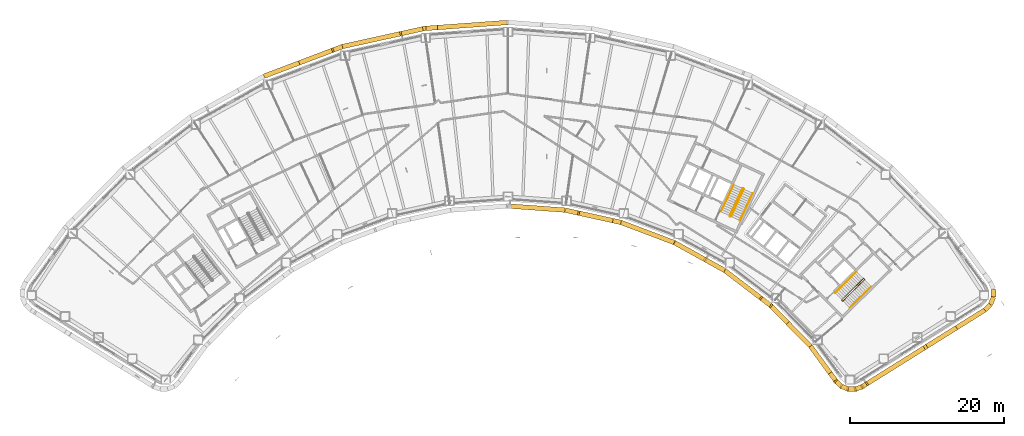
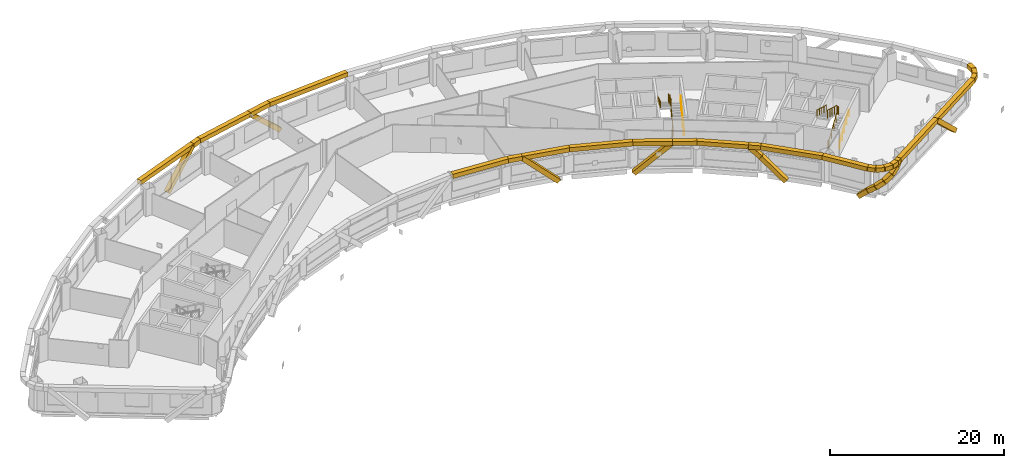
# One storey, part 17 of 19: 39 coverings, 6 railings.
"""IFC4 building model written with IfcOpenShell, lengths in metres."""

from ifc_helpers import new_model, si_unit, direction, frame, origin, origin_2d, place, context, subcontext, project, spatial, rectangle, circle, extrude, material, material_profile, profile_set, type_object, element, save


model = new_model("IFC4")

# Units and contexts
model_context = context("Model", 3, precision=1e-05, world=origin(), true_north=direction((0.0, 1.0)))
body_context = subcontext(model_context, "Body", "Model", "MODEL_VIEW")
ifc_project = project(units=[si_unit("LENGTHUNIT", "METRE"), si_unit("AREAUNIT", "SQUARE_METRE"), si_unit("VOLUMEUNIT", "CUBIC_METRE"), si_unit("PLANEANGLEUNIT", "RADIAN"), si_unit("MASSUNIT", "GRAM", prefix="KILO")], contexts=[model_context])

# Site, building, storey
site_placement = place(None, origin())
site = spatial("IfcSite", under=ifc_project, at=site_placement, CompositionType="ELEMENT")
building_placement = place(site_placement, origin())
building = spatial("IfcBuilding", under=site, at=building_placement, Name="Tuul Gate Civic Tower", CompositionType="ELEMENT")
storey_placement = place(building_placement, frame((0.0, 0.0, 90.60009765625)))
storey = spatial("IfcBuildingStorey", under=building, at=storey_placement, Name="Level 20", CompositionType="ELEMENT", Elevation=90.60009765625)

# Railings
ifc_material_1 = material(Name="Painted steel", Category="steel")
railing_type_1 = type_object("IfcRailingType", Name="Stair guard", PredefinedType="GUARDRAIL", material=ifc_material_1)
railing_1_placement = place(storey_placement, frame((48.10546875, -16.134765625, 0.0)))
element("IfcRailing", 1, at=railing_1_placement, inside=storey, type_object=railing_type_1, Name="Level 20 ST-3 stair guard 1", PredefinedType="GUARDRAIL", context=body_context, shape_type="SweptSolid", body=[
    extrude(circle(Radius=0.02392578125, at=origin_2d()), frame((0.0, 0.0, 1.076171875), z_axis=(-0.698506948293, 0.715603272202, 0.0), x_axis=(-0.715603272202, -0.698506948293, 0.0)), (0.0, 0.0, 1.0), 0.099853515625),
    extrude(circle(Radius=0.02392578125, at=origin_2d()), frame((-0.06982421875, 0.071533203125, 1.076171875), z_axis=(0.645446321009, -0.331687692741, 0.688027849131), x_axis=(0.457068866502, 0.889431307788, 0.0)), (0.0, 0.0, 1.0), 0.2177734375),
    extrude(circle(Radius=0.02392578125, at=origin_2d()), frame((0.07080078125, -0.000732421875, 1.22607421875), z_axis=(0.638731261263, 0.626133563701, 0.447190268558), x_axis=(-0.700029477518, 0.714113947914, 0.0)), (0.0, 0.0, 1.0), 4.3603515625),
    extrude(circle(Radius=0.02392578125, at=origin_2d()), frame((2.85595703125, 2.7294921875, 3.17578125), z_axis=(0.010380063588, 0.999946125689, 0.0), x_axis=(-0.999946125689, 0.010380063588, 0.0)), (0.0, 0.0, 1.0), 0.070556640625),
    extrude(circle(Radius=0.02392578125, at=origin_2d()), frame((2.856689453125, 2.800048828125, 3.17578125), z_axis=(-0.699754442181, 0.714383454909, 0.0), x_axis=(-0.714383454909, -0.699754442181, 0.0)), (0.0, 0.0, 1.0), 0.10009765625),
    extrude(circle(Radius=0.02392578125, at=origin_2d()), frame((2.78662109375, 2.87158203125, 3.17578125), z_axis=(-0.426501027327, 0.004412079593, 0.904476316574), x_axis=(-0.010344274102, -0.999946496565, 0.0)), (0.0, 0.0, 1.0), 0.166015625),
    extrude(circle(Radius=0.02392578125, at=origin_2d()), frame((2.7158203125, 2.872314453125, 3.326171875), z_axis=(-0.638731261263, -0.626133563701, 0.447190268558), x_axis=(0.700029477518, -0.714113947914, 0.0)), (0.0, 0.0, 1.0), 4.3603515625),
    extrude(circle(Radius=0.02099609375, at=origin_2d()), origin(), (0.0, 0.0, 1.0), 1.052001953125),
    extrude(circle(Radius=0.02099609375, at=origin_2d()), frame((-0.06982421875, 0.071533203125, 0.0)), (0.0, 0.0, 1.0), 1.052001953125),
    extrude(circle(Radius=0.02099609375, at=origin_2d()), frame((0.07080078125, -0.000732421875, 0.14990234375)), (0.0, 0.0, 1.0), 1.052001953125),
    extrude(circle(Radius=0.02099609375, at=origin_2d()), frame((0.76708984375, 0.681884765625, 0.637451171875)), (0.0, 0.0, 1.0), 1.052001953125),
    extrude(circle(Radius=0.02099609375, at=origin_2d()), frame((1.46337890625, 1.3642578125, 1.125)), (0.0, 0.0, 1.0), 1.052001953125),
    extrude(circle(Radius=0.02099609375, at=origin_2d()), frame((2.15966796875, 2.046875, 1.6123046875)), (0.0, 0.0, 1.0), 1.052001953125),
    extrude(circle(Radius=0.02099609375, at=origin_2d()), frame((2.85595703125, 2.7294921875, 2.099853515625)), (0.0, 0.0, 1.0), 1.052001953125),
    extrude(circle(Radius=0.02099609375, at=origin_2d()), frame((2.856689453125, 2.800048828125, 2.099853515625)), (0.0, 0.0, 1.0), 1.052001953125),
    extrude(circle(Radius=0.02099609375, at=origin_2d()), frame((2.78662109375, 2.87158203125, 2.099853515625)), (0.0, 0.0, 1.0), 1.052001953125),
    extrude(circle(Radius=0.02099609375, at=origin_2d()), frame((2.7158203125, 2.872314453125, 2.25)), (0.0, 0.0, 1.0), 1.052001953125),
    extrude(circle(Radius=0.02099609375, at=origin_2d()), frame((2.01953125, 2.189697265625, 2.737548828125)), (0.0, 0.0, 1.0), 1.052001953125),
    extrude(circle(Radius=0.02099609375, at=origin_2d()), frame((1.3232421875, 1.50732421875, 3.22509765625)), (0.0, 0.0, 1.0), 1.052001953125),
    extrude(circle(Radius=0.02099609375, at=origin_2d()), frame((0.626953125, 0.82470703125, 3.71240234375)), (0.0, 0.0, 1.0), 1.052001953125),
    extrude(circle(Radius=0.02099609375, at=origin_2d()), frame((-0.0693359375, 0.14208984375, 4.199951171875)), (0.0, 0.0, 1.0), 1.052001953125),
])
railing_2_placement = place(storey_placement, frame((33.645751953125, -5.238525390625, 0.0)))
element("IfcRailing", 2, at=railing_2_placement, inside=storey, type_object=railing_type_1, Name="Level 20 ST-4 stair guard 1", PredefinedType="GUARDRAIL", context=body_context, shape_type="SweptSolid", body=[
    extrude(circle(Radius=0.02392578125, at=origin_2d()), frame((0.0, 0.0, 1.076171875), z_axis=(-0.906307919131, 0.422617978463, 0.0), x_axis=(-0.422617978463, -0.906307919131, 0.0)), (0.0, 0.0, 1.0), 0.099853515625),
    extrude(circle(Radius=0.02392578125, at=origin_2d()), frame((-0.090576171875, 0.042236328125, 1.076171875), z_axis=(0.720735628292, -0.082946246491, 0.688229666829), x_axis=(0.114330889033, 0.993442724979, 0.0)), (0.0, 0.0, 1.0), 0.2177734375),
    extrude(circle(Radius=0.02392578125, at=origin_2d()), frame((0.06640625, 0.024169921875, 1.22607421875), z_axis=(0.377946903738, 0.810654114417, 0.447209173356), x_axis=(-0.906336612539, 0.422556439746, 0.0)), (0.0, 0.0, 1.0), 4.3603515625),
    extrude(circle(Radius=0.02392578125, at=origin_2d()), frame((1.71435546875, 3.558837890625, 3.17578125), z_axis=(-0.342020437038, 0.939692513883, 0.0), x_axis=(-0.939692513883, -0.342020437038, 0.0)), (0.0, 0.0, 1.0), 0.070556640625),
    extrude(circle(Radius=0.02392578125, at=origin_2d()), frame((1.690185546875, 3.625244140625, 3.17578125), z_axis=(-0.906307919131, 0.422617978463, 0.0), x_axis=(-0.422617978463, -0.906307919131, 0.0)), (0.0, 0.0, 1.0), 0.099853515625),
    extrude(circle(Radius=0.02392578125, at=origin_2d()), frame((1.599609375, 3.66748046875, 3.17578125), z_axis=(-0.400168791901, -0.145649670582, 0.904793408159), x_axis=(0.342020437038, -0.939692513883, 0.0)), (0.0, 0.0, 1.0), 0.166015625),
    extrude(circle(Radius=0.02392578125, at=origin_2d()), frame((1.533203125, 3.643310546875, 3.326171875), z_axis=(-0.377946903738, -0.810654114417, 0.447209173356), x_axis=(0.906336612539, -0.422556439746, 0.0)), (0.0, 0.0, 1.0), 4.3603515625),
    extrude(circle(Radius=0.02099609375, at=origin_2d()), origin(), (0.0, 0.0, 1.0), 1.052001953125),
    extrude(circle(Radius=0.02099609375, at=origin_2d()), frame((-0.090576171875, 0.042236328125, 0.0)), (0.0, 0.0, 1.0), 1.052001953125),
    extrude(circle(Radius=0.02099609375, at=origin_2d()), frame((0.06640625, 0.024169921875, 0.14990234375)), (0.0, 0.0, 1.0), 1.052001953125),
    extrude(circle(Radius=0.02099609375, at=origin_2d()), frame((0.478515625, 0.90771484375, 0.637451171875)), (0.0, 0.0, 1.0), 1.052001953125),
    extrude(circle(Radius=0.02099609375, at=origin_2d()), frame((0.890380859375, 1.79150390625, 1.125)), (0.0, 0.0, 1.0), 1.052001953125),
    extrude(circle(Radius=0.02099609375, at=origin_2d()), frame((1.30224609375, 2.67529296875, 1.6123046875)), (0.0, 0.0, 1.0), 1.052001953125),
    extrude(circle(Radius=0.02099609375, at=origin_2d()), frame((1.71435546875, 3.558837890625, 2.099853515625)), (0.0, 0.0, 1.0), 1.052001953125),
    extrude(circle(Radius=0.02099609375, at=origin_2d()), frame((1.690185546875, 3.625244140625, 2.099853515625)), (0.0, 0.0, 1.0), 1.052001953125),
    extrude(circle(Radius=0.02099609375, at=origin_2d()), frame((1.599609375, 3.66748046875, 2.099853515625)), (0.0, 0.0, 1.0), 1.052001953125),
    extrude(circle(Radius=0.02099609375, at=origin_2d()), frame((1.533203125, 3.643310546875, 2.25)), (0.0, 0.0, 1.0), 1.052001953125),
    extrude(circle(Radius=0.02099609375, at=origin_2d()), frame((1.12109375, 2.759765625, 2.737548828125)), (0.0, 0.0, 1.0), 1.052001953125),
    extrude(circle(Radius=0.02099609375, at=origin_2d()), frame((0.709228515625, 1.8759765625, 3.22509765625)), (0.0, 0.0, 1.0), 1.052001953125),
    extrude(circle(Radius=0.02099609375, at=origin_2d()), frame((0.29736328125, 0.9921875, 3.71240234375)), (0.0, 0.0, 1.0), 1.052001953125),
    extrude(circle(Radius=0.02099609375, at=origin_2d()), frame((-0.11474609375, 0.108642578125, 4.199951171875)), (0.0, 0.0, 1.0), 1.052001953125),
])
ifc_material_2 = material(Name="Painted steel", Category="steel")
railing_type_2 = type_object("IfcRailingType", Name="Stair handrail", PredefinedType="HANDRAIL", material=ifc_material_2)
railing_3_placement = place(storey_placement, frame((49.05126953125, -17.028076171875, 0.14990234375)))
element("IfcRailing", 3, at=railing_3_placement, inside=storey, type_object=railing_type_2, Name="Level 20 ST-3 stair handrail 1", PredefinedType="HANDRAIL", context=body_context, shape_type="SweptSolid", body=[
    extrude(circle(Radius=0.02392578125, at=origin_2d()), frame((0.0, 0.0, 0.8759765625), z_axis=(0.638753653487, 0.626099522554, 0.447205945863), x_axis=(-0.699997553204, 0.714145241186, 0.0)), (0.0, 0.0, 1.0), 4.3603515625),
    extrude(circle(Radius=0.02099609375, at=origin_2d()), origin(), (0.0, 0.0, 1.0), 0.851806640625),
    extrude(circle(Radius=0.02099609375, at=origin_2d()), frame((0.6962890625, 0.6826171875, 0.487548828125)), (0.0, 0.0, 1.0), 0.851806640625),
    extrude(circle(Radius=0.02099609375, at=origin_2d()), frame((1.392578125, 1.364990234375, 0.97509765625)), (0.0, 0.0, 1.0), 0.851806640625),
    extrude(circle(Radius=0.02099609375, at=origin_2d()), frame((2.0888671875, 2.04736328125, 1.46240234375)), (0.0, 0.0, 1.0), 0.851806640625),
    extrude(circle(Radius=0.02099609375, at=origin_2d()), frame((2.78515625, 2.72998046875, 1.949951171875)), (0.0, 0.0, 1.0), 0.851806640625),
])
railing_4_placement = place(storey_placement, frame((49.9462890625, -12.369873046875, 2.25)))
element("IfcRailing", 4, at=railing_4_placement, inside=storey, type_object=railing_type_2, Name="Level 20 ST-3 stair handrail 2", PredefinedType="HANDRAIL", context=body_context, shape_type="SweptSolid", body=[
    extrude(circle(Radius=0.02392578125, at=origin_2d()), frame((0.0, 0.0, 0.8759765625), z_axis=(-0.638753653487, -0.626099522554, 0.447205945863), x_axis=(0.699997553204, -0.714145241186, 0.0)), (0.0, 0.0, 1.0), 4.3603515625),
    extrude(circle(Radius=0.02099609375, at=origin_2d()), origin(), (0.0, 0.0, 1.0), 0.851806640625),
    extrude(circle(Radius=0.02099609375, at=origin_2d()), frame((-0.6962890625, -0.6826171875, 0.487548828125)), (0.0, 0.0, 1.0), 0.851806640625),
    extrude(circle(Radius=0.02099609375, at=origin_2d()), frame((-1.392578125, -1.364990234375, 0.97509765625)), (0.0, 0.0, 1.0), 0.851806640625),
    extrude(circle(Radius=0.02099609375, at=origin_2d()), frame((-2.0888671875, -2.04736328125, 1.46240234375)), (0.0, 0.0, 1.0), 0.851806640625),
    extrude(circle(Radius=0.02099609375, at=origin_2d()), frame((-2.78515625, -2.72998046875, 1.949951171875)), (0.0, 0.0, 1.0), 0.851806640625),
])
railing_5_placement = place(storey_placement, frame((34.844970703125, -5.74267578125, 0.14990234375)))
element("IfcRailing", 5, at=railing_5_placement, inside=storey, type_object=railing_type_2, Name="Level 20 ST-4 stair handrail 1", PredefinedType="HANDRAIL", context=body_context, shape_type="SweptSolid", body=[
    extrude(circle(Radius=0.02392578125, at=origin_2d()), frame((0.0, 0.0, 0.8759765625), z_axis=(0.377994896215, 0.810636958585, 0.447199709091), x_axis=(-0.906312636903, 0.422607861012, 0.0)), (0.0, 0.0, 1.0), 4.3603515625),
    extrude(circle(Radius=0.02099609375, at=origin_2d()), origin(), (0.0, 0.0, 1.0), 0.851806640625),
    extrude(circle(Radius=0.02099609375, at=origin_2d()), frame((0.412109375, 0.8837890625, 0.487548828125)), (0.0, 0.0, 1.0), 0.851806640625),
    extrude(circle(Radius=0.02099609375, at=origin_2d()), frame((0.82421875, 1.767333984375, 0.97509765625)), (0.0, 0.0, 1.0), 0.851806640625),
    extrude(circle(Radius=0.02099609375, at=origin_2d()), frame((1.236083984375, 2.65087890625, 1.46240234375)), (0.0, 0.0, 1.0), 0.851806640625),
    extrude(circle(Radius=0.02099609375, at=origin_2d()), frame((1.648193359375, 3.53466796875, 1.949951171875)), (0.0, 0.0, 1.0), 0.851806640625),
])
railing_6_placement = place(storey_placement, frame((34.046142578125, -1.06689453125, 2.25)))
element("IfcRailing", 6, at=railing_6_placement, inside=storey, type_object=railing_type_2, Name="Level 20 ST-4 stair handrail 2", PredefinedType="HANDRAIL", context=body_context, shape_type="SweptSolid", body=[
    extrude(circle(Radius=0.02392578125, at=origin_2d()), frame((0.0, 0.0, 0.8759765625), z_axis=(-0.377994896215, -0.810636958585, 0.447199709091), x_axis=(0.906312636903, -0.422607861012, 0.0)), (0.0, 0.0, 1.0), 4.3603515625),
    extrude(circle(Radius=0.02099609375, at=origin_2d()), origin(), (0.0, 0.0, 1.0), 0.851806640625),
    extrude(circle(Radius=0.02099609375, at=origin_2d()), frame((-0.412109375, -0.8837890625, 0.487548828125)), (0.0, 0.0, 1.0), 0.851806640625),
    extrude(circle(Radius=0.02099609375, at=origin_2d()), frame((-0.82421875, -1.767333984375, 0.97509765625)), (0.0, 0.0, 1.0), 0.851806640625),
    extrude(circle(Radius=0.02099609375, at=origin_2d()), frame((-1.236083984375, -2.65087890625, 1.46240234375)), (0.0, 0.0, 1.0), 0.851806640625),
    extrude(circle(Radius=0.02099609375, at=origin_2d()), frame((-1.648193359375, -3.53466796875, 1.949951171875)), (0.0, 0.0, 1.0), 0.851806640625),
])

# Coverings
ifc_material_3 = material(Name="Terracotta baguette", Category="masonry")
ifc_material_profile = material_profile(ifc_material_3, rectangle(XDim=0.60009765625, YDim=0.60009765625, at=origin_2d()), Name="Terracotta baguette screen frame")
ifc_profile_set = profile_set([ifc_material_profile], Name="Terracotta baguette")
covering_type = type_object("IfcCoveringType", Name="Terracotta baguette screen frame", PredefinedType="CLADDING", material=ifc_profile_set)
covering_1_placement = place(storey_placement, frame((62.709228515625, -19.71875, -0.35009765625), z_axis=(-0.62165839142, -0.388462360599, 0.68017485897), x_axis=(0.529926214669, -0.848043753002, 0.0)))
element("IfcCovering", 7, at=covering_1_placement, inside=storey, type_object=covering_type, Name="Baguette 10", PredefinedType="CLADDING", context=body_context, shape_type="SweptSolid", body=[
    extrude(rectangle(XDim=0.60009765625, YDim=0.60009765625, at=origin_2d()), origin(), (0.0, 0.0, 1.0), 6.1748046875),
])
covering_2_placement = place(storey_placement, frame((-4.508544921875, 19.235107421875, -0.35009765625), z_axis=(-0.731910212775, -0.052923468693, 0.67934273154), x_axis=(0.072120393401, -0.997395933848, 0.0)))
element("IfcCovering", 8, at=covering_2_placement, inside=storey, type_object=covering_type, Name="Baguette 85", PredefinedType="CLADDING", context=body_context, shape_type="SweptSolid", body=[
    extrude(rectangle(XDim=0.60009765625, YDim=0.60009765625, at=origin_2d()), origin(), (0.0, 0.0, 1.0), 2.057373046875),
])
covering_3_placement = place(storey_placement, frame((-6.014404296875, 19.126220703125, 1.047607421875), z_axis=(-0.716572327927, -0.157922928375, 0.679400064426), x_axis=(0.21522186499, -0.976565178997, 0.0)))
element("IfcCovering", 9, at=covering_3_placement, inside=storey, type_object=covering_type, Name="Baguette 86", PredefinedType="CLADDING", context=body_context, shape_type="SweptSolid", body=[
    extrude(rectangle(XDim=0.60009765625, YDim=0.60009765625, at=origin_2d()), origin(), (0.0, 0.0, 1.0), 4.12451171875),
])
covering_4_placement = place(storey_placement, frame((-8.969970703125, 18.474853515625, 3.849853515625), z_axis=(-0.976565835511, -0.21521888605, 0.0), x_axis=(0.21521888605, -0.976565835511, 0.0)))
element("IfcCovering", 10, at=covering_4_placement, inside=storey, type_object=covering_type, Name="Baguette 91", PredefinedType="CLADDING", context=body_context, shape_type="SweptSolid", body=[
    extrude(rectangle(XDim=0.60009765625, YDim=0.60009765625, at=origin_2d()), origin(), (0.0, 0.0, 1.0), 7.824951171875),
])
covering_5_placement = place(storey_placement, frame((-16.611572265625, 16.790771484375, 3.849853515625), z_axis=(-0.935303764022, -0.353845826606, 0.0), x_axis=(0.353845826606, -0.935303764022, 0.0)))
element("IfcCovering", 11, at=covering_5_placement, inside=storey, type_object=covering_type, Name="Baguette 92", PredefinedType="CLADDING", context=body_context, shape_type="SweptSolid", body=[
    extrude(rectangle(XDim=0.60009765625, YDim=0.60009765625, at=origin_2d()), origin(), (0.0, 0.0, 1.0), 1.24755859375),
])
covering_6_placement = place(storey_placement, frame((-17.7783203125, 16.349365234375, 3.849853515625), z_axis=(-0.686341416792, -0.259545186211, -0.679390724039), x_axis=(0.353711403676, -0.935354608108, 0.0)))
element("IfcCovering", 12, at=covering_6_placement, inside=storey, type_object=covering_type, Name="Baguette 94", PredefinedType="CLADDING", context=body_context, shape_type="SweptSolid", body=[
    extrude(rectangle(XDim=0.60009765625, YDim=0.60009765625, at=origin_2d()), origin(), (0.0, 0.0, 1.0), 6.181884765625),
])
covering_7_placement = place(storey_placement, frame((5.06982421875, -3.870849609375, 3.849853515625), z_axis=(0.997382977764, -0.072299347629, 0.0), x_axis=(0.072299347629, 0.997382977764, 0.0)))
element("IfcCovering", 13, at=covering_7_placement, inside=storey, type_object=covering_type, Name="Baguette 224", PredefinedType="CLADDING", context=body_context, shape_type="SweptSolid", body=[
    extrude(rectangle(XDim=0.60009765625, YDim=0.60009765625, at=origin_2d()), origin(), (0.0, 0.0, 1.0), 7.155517578125),
])
covering_8_placement = place(storey_placement, frame((12.20654296875, -4.38818359375, 3.849853515625), z_axis=(0.976551365634, -0.215284533302, 0.0), x_axis=(0.215284533302, 0.976551365634, 0.0)))
element("IfcCovering", 14, at=covering_8_placement, inside=storey, type_object=covering_type, Name="Baguette 225", PredefinedType="CLADDING", context=body_context, shape_type="SweptSolid", body=[
    extrude(rectangle(XDim=0.60009765625, YDim=0.60009765625, at=origin_2d()), origin(), (0.0, 0.0, 1.0), 1.696533203125),
])
covering_9_placement = place(storey_placement, frame((13.86328125, -4.75341796875, 3.849853515625), z_axis=(0.70839090166, -0.156090878184, -0.688344367445), x_axis=(0.215183772558, 0.976573573279, 0.0)))
element("IfcCovering", 15, at=covering_9_placement, inside=storey, type_object=covering_type, Name="Baguette 227", PredefinedType="CLADDING", context=body_context, shape_type="SweptSolid", body=[
    extrude(rectangle(XDim=0.60009765625, YDim=0.60009765625, at=origin_2d()), origin(), (0.0, 0.0, 1.0), 6.1015625),
])
covering_10_placement = place(storey_placement, frame((26.51025390625, -8.675537109375, -0.35009765625), z_axis=(0.634417893986, -0.351680786518, 0.688356419441), x_axis=(0.484827764604, 0.874609649312, 0.0)))
element("IfcCovering", 16, at=covering_10_placement, inside=storey, type_object=covering_type, Name="Baguette 239", PredefinedType="CLADDING", context=body_context, shape_type="SweptSolid", body=[
    extrude(rectangle(XDim=0.60009765625, YDim=0.60009765625, at=origin_2d()), origin(), (0.0, 0.0, 1.0), 6.101318359375),
])
covering_11_placement = place(storey_placement, frame((30.381103515625, -10.8212890625, 3.849853515625), z_axis=(0.874645152561, -0.484763712649, 0.0), x_axis=(0.484763712649, 0.874645152561, 0.0)))
element("IfcCovering", 17, at=covering_11_placement, inside=storey, type_object=covering_type, Name="Baguette 244", PredefinedType="CLADDING", context=body_context, shape_type="SweptSolid", body=[
    extrude(rectangle(XDim=0.60009765625, YDim=0.60009765625, at=origin_2d()), origin(), (0.0, 0.0, 1.0), 2.853515625),
])
covering_12_placement = place(storey_placement, frame((32.876953125, -12.20458984375, 3.849853515625), z_axis=(0.79556810709, -0.605864165454, 0.0), x_axis=(0.605864165454, 0.79556810709, 0.0)))
element("IfcCovering", 18, at=covering_12_placement, inside=storey, type_object=covering_type, Name="Baguette 245", PredefinedType="CLADDING", context=body_context, shape_type="SweptSolid", body=[
    extrude(rectangle(XDim=0.60009765625, YDim=0.60009765625, at=origin_2d()), origin(), (0.0, 0.0, 1.0), 5.99853515625),
])
covering_13_placement = place(storey_placement, frame((37.649169921875, -15.8388671875, 3.849853515625), z_axis=(0.577078200837, -0.439452848291, -0.688376310057), x_axis=(0.60584625249, 0.795581748372, 0.0)))
element("IfcCovering", 19, at=covering_13_placement, inside=storey, type_object=covering_type, Name="Baguette 248", PredefinedType="CLADDING", context=body_context, shape_type="SweptSolid", body=[
    extrude(rectangle(XDim=0.60009765625, YDim=0.60009765625, at=origin_2d()), origin(), (0.0, 0.0, 1.0), 1.956787109375),
])
covering_14_placement = place(storey_placement, frame((38.7783203125, -16.69873046875, 2.5029296875), z_axis=(0.507848262204, -0.517979310812, -0.688322290898), x_axis=(0.714055329058, 0.700089270768, 0.0)))
element("IfcCovering", 20, at=covering_14_placement, inside=storey, type_object=covering_type, Name="Baguette 249", PredefinedType="CLADDING", context=body_context, shape_type="SweptSolid", body=[
    extrude(rectangle(XDim=0.60009765625, YDim=0.60009765625, at=origin_2d()), origin(), (0.0, 0.0, 1.0), 4.14501953125),
])
covering_15_placement = place(storey_placement, frame((46.636962890625, -25.644287109375, -0.35009765625), z_axis=(0.431327468448, -0.590539187501, 0.682070438436), x_axis=(0.807534670748, 0.589820104388, 0.0)))
element("IfcCovering", 21, at=covering_15_placement, inside=storey, type_object=covering_type, Name="Baguette 276", PredefinedType="CLADDING", context=body_context, shape_type="SweptSolid", body=[
    extrude(rectangle(XDim=0.60009765625, YDim=0.60009765625, at=origin_2d()), origin(), (0.0, 0.0, 1.0), 1.576416015625),
])
covering_16_placement = place(storey_placement, frame((47.31689453125, -26.5751953125, 0.72509765625), z_axis=(0.593809395506, -0.556131693602, 0.581470498976), x_axis=(0.68357167815, 0.729883388516, 0.0)))
element("IfcCovering", 22, at=covering_16_placement, inside=storey, type_object=covering_type, Name="Baguette 277", PredefinedType="CLADDING", context=body_context, shape_type="SweptSolid", body=[
    extrude(rectangle(XDim=0.60009765625, YDim=0.60009765625, at=origin_2d()), origin(), (0.0, 0.0, 1.0), 1.10791015625),
])
covering_17_placement = place(storey_placement, frame((47.974853515625, -27.19140625, 1.369384765625), z_axis=(0.774533086772, -0.308516419927, 0.55219210075), x_axis=(0.370049373719, 0.929012088732, 0.0)))
element("IfcCovering", 23, at=covering_17_placement, inside=storey, type_object=covering_type, Name="Baguette 278", PredefinedType="CLADDING", context=body_context, shape_type="SweptSolid", body=[
    extrude(rectangle(XDim=0.60009765625, YDim=0.60009765625, at=origin_2d()), origin(), (0.0, 0.0, 1.0), 1.167236328125),
])
covering_18_placement = place(storey_placement, frame((48.87890625, -27.551513671875, 2.013916015625), z_axis=(0.834004569082, -0.002508913219, 0.55175183199), x_axis=(0.003008259138, 0.999995475178, 0.0)))
element("IfcCovering", 24, at=covering_18_placement, inside=storey, type_object=covering_type, Name="Baguette 279", PredefinedType="CLADDING", context=body_context, shape_type="SweptSolid", body=[
    extrude(rectangle(XDim=0.60009765625, YDim=0.60009765625, at=origin_2d()), origin(), (0.0, 0.0, 1.0), 1.167724609375),
])
covering_19_placement = place(storey_placement, frame((49.852783203125, -27.554443359375, 2.658203125), z_axis=(0.758041773655, 0.295283714156, 0.581532628103), x_axis=(-0.362969067807, 0.931801188997, 0.0)))
element("IfcCovering", 25, at=covering_19_placement, inside=storey, type_object=covering_type, Name="Baguette 280", PredefinedType="CLADDING", context=body_context, shape_type="SweptSolid", body=[
    extrude(rectangle(XDim=0.60009765625, YDim=0.60009765625, at=origin_2d()), origin(), (0.0, 0.0, 1.0), 1.10791015625),
])
covering_20_placement = place(storey_placement, frame((50.692626953125, -27.227294921875, 3.302490234375), z_axis=(0.621855895421, 0.388280754214, 0.680098008553), x_axis=(-0.529626959981, 0.848230678095, 0.0)))
element("IfcCovering", 26, at=covering_20_placement, inside=storey, type_object=covering_type, Name="Baguette 281", PredefinedType="CLADDING", context=body_context, shape_type="SweptSolid", body=[
    extrude(rectangle(XDim=0.60009765625, YDim=0.60009765625, at=origin_2d()), origin(), (0.0, 0.0, 1.0), 0.804931640625),
])
covering_21_placement = place(storey_placement, frame((51.193115234375, -26.914794921875, 3.849853515625), z_axis=(0.848051326016, 0.529914095342, 0.0), x_axis=(-0.529914095342, 0.848051326016, 0.0)))
element("IfcCovering", 27, at=covering_21_placement, inside=storey, type_object=covering_type, Name="Baguette 284", PredefinedType="CLADDING", context=body_context, shape_type="SweptSolid", body=[
    extrude(rectangle(XDim=0.60009765625, YDim=0.60009765625, at=origin_2d()), origin(), (0.0, 0.0, 1.0), 9.052978515625),
])
covering_22_placement = place(storey_placement, frame((4.80810546875, 19.909912109375, 3.849853515625), z_axis=(-0.997388438103, -0.072223981735, 0.0), x_axis=(0.072223981735, -0.997388438103, 0.0)))
element("IfcCovering", 28, at=covering_22_placement, inside=storey, type_object=covering_type, Name="Baguette 415", PredefinedType="CLADDING", context=body_context, shape_type="SweptSolid", body=[
    extrude(rectangle(XDim=0.60009765625, YDim=0.60009765625, at=origin_2d()), origin(), (0.0, 0.0, 1.0), 10.850830078125),
])
covering_23_placement = place(storey_placement, frame((-6.014404296875, 19.126220703125, 3.849853515625), z_axis=(-0.976565178997, -0.21522186499, 0.0), x_axis=(0.21522186499, -0.976565178997, 0.0)))
element("IfcCovering", 29, at=covering_23_placement, inside=storey, type_object=covering_type, Name="Baguette 416", PredefinedType="CLADDING", context=body_context, shape_type="SweptSolid", body=[
    extrude(rectangle(XDim=0.60009765625, YDim=0.60009765625, at=origin_2d()), origin(), (0.0, 0.0, 1.0), 3.026611328125),
])
covering_24_placement = place(storey_placement, frame((-17.7783203125, 16.349365234375, 3.849853515625), z_axis=(-0.935350828324, -0.353721398779, 0.0), x_axis=(0.353721398779, -0.935350828324, 0.0)))
element("IfcCovering", 30, at=covering_24_placement, inside=storey, type_object=covering_type, Name="Baguette 417", PredefinedType="CLADDING", context=body_context, shape_type="SweptSolid", body=[
    extrude(rectangle(XDim=0.60009765625, YDim=0.60009765625, at=origin_2d()), origin(), (0.0, 0.0, 1.0), 9.603515625),
])
covering_25_placement = place(storey_placement, frame((13.86328125, -4.75341796875, 3.849853515625), z_axis=(0.976570084756, -0.215199603995, 0.0), x_axis=(0.215199603995, 0.976570084756, 0.0)))
element("IfcCovering", 31, at=covering_25_placement, inside=storey, type_object=covering_type, Name="Baguette 430", PredefinedType="CLADDING", context=body_context, shape_type="SweptSolid", body=[
    extrude(rectangle(XDim=0.60009765625, YDim=0.60009765625, at=origin_2d()), origin(), (0.0, 0.0, 1.0), 5.72119140625),
])
covering_26_placement = place(storey_placement, frame((19.450439453125, -5.984619140625, 3.849853515625), z_axis=(0.935357193845, -0.353704565878, 0.0), x_axis=(0.353704565878, 0.935357193845, 0.0)))
element("IfcCovering", 32, at=covering_26_placement, inside=storey, type_object=covering_type, Name="Baguette 431", PredefinedType="CLADDING", context=body_context, shape_type="SweptSolid", body=[
    extrude(rectangle(XDim=0.60009765625, YDim=0.60009765625, at=origin_2d()), origin(), (0.0, 0.0, 1.0), 7.41796875),
])
covering_27_placement = place(storey_placement, frame((26.388916015625, -8.6083984375, 3.849853515625), z_axis=(0.874621104425, -0.484807099468, 0.0), x_axis=(0.484807099468, 0.874621104425, 0.0)))
element("IfcCovering", 33, at=covering_27_placement, inside=storey, type_object=covering_type, Name="Baguette 432", PredefinedType="CLADDING", context=body_context, shape_type="SweptSolid", body=[
    extrude(rectangle(XDim=0.60009765625, YDim=0.60009765625, at=origin_2d()), origin(), (0.0, 0.0, 1.0), 4.564453125),
])
covering_28_placement = place(storey_placement, frame((37.649169921875, -15.8388671875, 3.849853515625), z_axis=(0.795581748372, -0.60584625249, 0.0), x_axis=(0.60584625249, 0.795581748372, 0.0)))
element("IfcCovering", 34, at=covering_28_placement, inside=storey, type_object=covering_type, Name="Baguette 433", PredefinedType="CLADDING", context=body_context, shape_type="SweptSolid", body=[
    extrude(rectangle(XDim=0.60009765625, YDim=0.60009765625, at=origin_2d()), origin(), (0.0, 0.0, 1.0), 1.419189453125),
])
covering_29_placement = place(storey_placement, frame((38.7783203125, -16.69873046875, 3.849853515625), z_axis=(0.700094774279, -0.714049933147, 0.0), x_axis=(0.714049933147, 0.700094774279, 0.0)))
element("IfcCovering", 35, at=covering_29_placement, inside=storey, type_object=covering_type, Name="Baguette 434", PredefinedType="CLADDING", context=body_context, shape_type="SweptSolid", body=[
    extrude(rectangle(XDim=0.60009765625, YDim=0.60009765625, at=origin_2d()), origin(), (0.0, 0.0, 1.0), 7.417724609375),
])
covering_30_placement = place(storey_placement, frame((43.971435546875, -21.995361328125, 3.849853515625), z_axis=(0.589862243157, -0.807503891073, 0.0), x_axis=(0.807503891073, 0.589862243157, 0.0)))
element("IfcCovering", 36, at=covering_30_placement, inside=storey, type_object=covering_type, Name="Baguette 435", PredefinedType="CLADDING", context=body_context, shape_type="SweptSolid", body=[
    extrude(rectangle(XDim=0.60009765625, YDim=0.60009765625, at=origin_2d()), origin(), (0.0, 0.0, 1.0), 5.671630859375),
])
covering_31_placement = place(storey_placement, frame((47.31689453125, -26.5751953125, 3.849853515625), z_axis=(0.729883388516, -0.68357167815, 0.0), x_axis=(0.68357167815, 0.729883388516, 0.0)))
element("IfcCovering", 37, at=covering_31_placement, inside=storey, type_object=covering_type, Name="Baguette 436", PredefinedType="CLADDING", context=body_context, shape_type="SweptSolid", body=[
    extrude(rectangle(XDim=0.60009765625, YDim=0.60009765625, at=origin_2d()), origin(), (0.0, 0.0, 1.0), 0.9013671875),
])
covering_32_placement = place(storey_placement, frame((47.974853515625, -27.19140625, 3.849853515625), z_axis=(0.929012088732, -0.370049373719, 0.0), x_axis=(0.370049373719, 0.929012088732, 0.0)))
element("IfcCovering", 38, at=covering_32_placement, inside=storey, type_object=covering_type, Name="Baguette 437", PredefinedType="CLADDING", context=body_context, shape_type="SweptSolid", body=[
    extrude(rectangle(XDim=0.60009765625, YDim=0.60009765625, at=origin_2d()), origin(), (0.0, 0.0, 1.0), 0.97314453125),
])
covering_33_placement = place(storey_placement, frame((48.87890625, -27.551513671875, 3.849853515625), z_axis=(0.999995475178, -0.003008259138, 0.0), x_axis=(0.003008259138, 0.999995475178, 0.0)))
element("IfcCovering", 39, at=covering_33_placement, inside=storey, type_object=covering_type, Name="Baguette 438", PredefinedType="CLADDING", context=body_context, shape_type="SweptSolid", body=[
    extrude(rectangle(XDim=0.60009765625, YDim=0.60009765625, at=origin_2d()), origin(), (0.0, 0.0, 1.0), 0.973876953125),
])
covering_34_placement = place(storey_placement, frame((49.852783203125, -27.554443359375, 3.849853515625), z_axis=(0.931801188997, 0.362969067807, 0.0), x_axis=(-0.362969067807, 0.931801188997, 0.0)))
element("IfcCovering", 40, at=covering_34_placement, inside=storey, type_object=covering_type, Name="Baguette 439", PredefinedType="CLADDING", context=body_context, shape_type="SweptSolid", body=[
    extrude(rectangle(XDim=0.60009765625, YDim=0.60009765625, at=origin_2d()), origin(), (0.0, 0.0, 1.0), 0.9013671875),
])
covering_35_placement = place(storey_placement, frame((50.692626953125, -27.227294921875, 3.849853515625), z_axis=(0.848230678095, 0.529626959981, 0.0), x_axis=(-0.529626959981, 0.848230678095, 0.0)))
element("IfcCovering", 41, at=covering_35_placement, inside=storey, type_object=covering_type, Name="Baguette 440", PredefinedType="CLADDING", context=body_context, shape_type="SweptSolid", body=[
    extrude(rectangle(XDim=0.60009765625, YDim=0.60009765625, at=origin_2d()), origin(), (0.0, 0.0, 1.0), 0.590087890625),
])
covering_36_placement = place(storey_placement, frame((58.87060546875, -22.117431640625, 3.849853515625), z_axis=(0.848051326016, 0.529914095342, 0.0), x_axis=(-0.529914095342, 0.848051326016, 0.0)))
element("IfcCovering", 42, at=covering_36_placement, inside=storey, type_object=covering_type, Name="Baguette 441", PredefinedType="CLADDING", context=body_context, shape_type="SweptSolid", body=[
    extrude(rectangle(XDim=0.60009765625, YDim=0.60009765625, at=origin_2d()), origin(), (0.0, 0.0, 1.0), 9.052978515625),
])
covering_37_placement = place(storey_placement, frame((66.548095703125, -17.320068359375, 3.849853515625), z_axis=(0.722137314744, 0.691749737011, 0.0), x_axis=(-0.691749737011, 0.722137314744, 0.0)))
element("IfcCovering", 43, at=covering_37_placement, inside=storey, type_object=covering_type, Name="Baguette 442", PredefinedType="CLADDING", context=body_context, shape_type="SweptSolid", body=[
    extrude(rectangle(XDim=0.60009765625, YDim=0.60009765625, at=origin_2d()), origin(), (0.0, 0.0, 1.0), 0.98828125),
])
covering_38_placement = place(storey_placement, frame((67.26171875, -16.636474609375, 3.849853515625), z_axis=(0.385590096332, 0.922670188968, 0.0), x_axis=(-0.922670188968, 0.385590096332, 0.0)))
element("IfcCovering", 44, at=covering_38_placement, inside=storey, type_object=covering_type, Name="Baguette 443", PredefinedType="CLADDING", context=body_context, shape_type="SweptSolid", body=[
    extrude(rectangle(XDim=0.60009765625, YDim=0.60009765625, at=origin_2d()), origin(), (0.0, 0.0, 1.0), 1.06689453125),
])
covering_39_placement = place(storey_placement, frame((67.673095703125, -15.652099609375, 3.849853515625), z_axis=(-0.014411680901, 0.999896146334, 0.0), x_axis=(-0.999896146334, -0.014411680901, 0.0)))
element("IfcCovering", 45, at=covering_39_placement, inside=storey, type_object=covering_type, Name="Baguette 444", PredefinedType="CLADDING", context=body_context, shape_type="SweptSolid", body=[
    extrude(rectangle(XDim=0.60009765625, YDim=0.60009765625, at=origin_2d()), origin(), (0.0, 0.0, 1.0), 1.067138671875),
])

save(model, "model.ifc")
